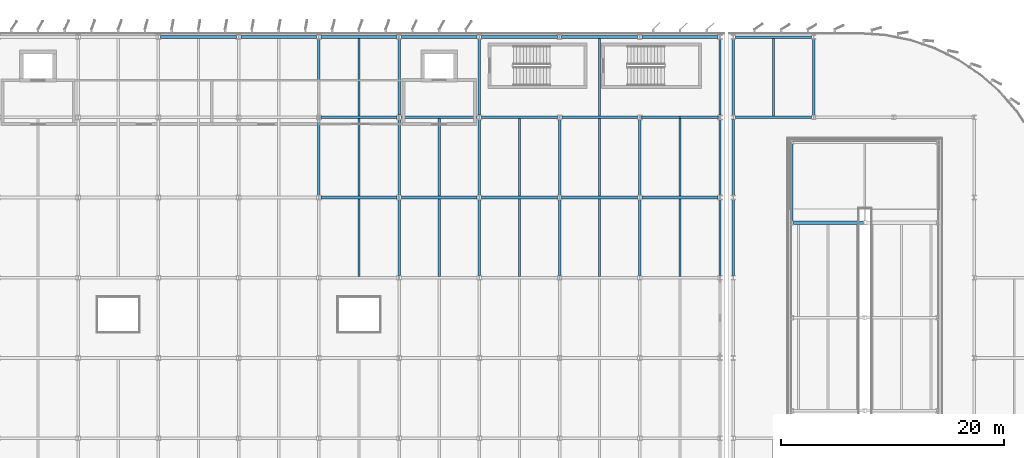
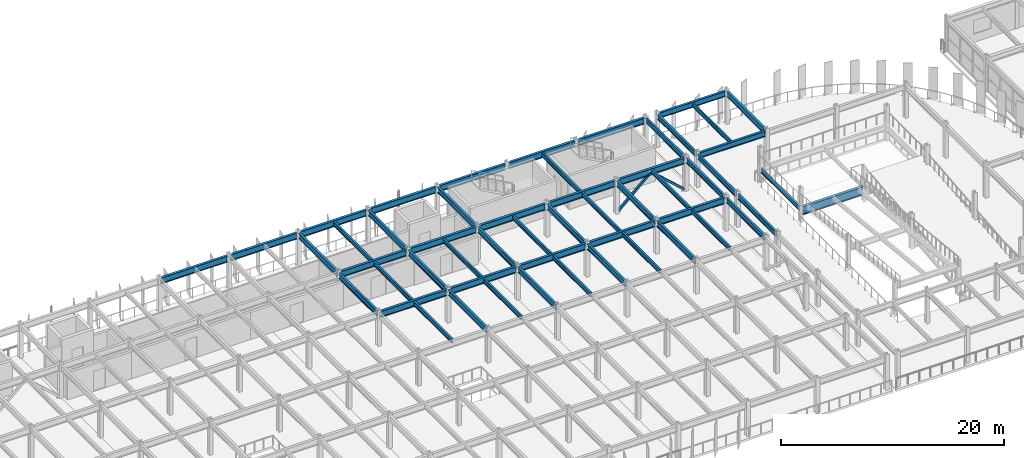
# One storey, part 30 of 93: 53 beams, 2 members.
"""IFC4 building model written with IfcOpenShell, lengths in metres."""

from ifc_helpers import new_model, si_unit, direction, frame, origin, origin_2d, place, context, subcontext, project, spatial, hollow_rectangle, i_section, extrude, material, material_profile, profile_set, type_object, element, save


model = new_model("IFC4")

# Units and contexts
model_context = context("Model", 3, precision=1e-05, world=origin(), true_north=direction((0.0, 1.0)))
body_context = subcontext(model_context, "Body", "Model", "MODEL_VIEW")
ifc_project = project(units=[si_unit("LENGTHUNIT", "METRE"), si_unit("AREAUNIT", "SQUARE_METRE"), si_unit("VOLUMEUNIT", "CUBIC_METRE"), si_unit("PLANEANGLEUNIT", "RADIAN"), si_unit("MASSUNIT", "GRAM", prefix="KILO")], contexts=[model_context])

# Site, building, storey
site_placement = place(None, origin())
site = spatial("IfcSite", under=ifc_project, at=site_placement, CompositionType="ELEMENT")
building_placement = place(site_placement, origin())
building = spatial("IfcBuilding", under=site, at=building_placement, Name="Vaelcorin Mobility Hub", CompositionType="ELEMENT")
storey_placement = place(building_placement, frame((0.0, 0.0, 5.39990234375)))
storey = spatial("IfcBuildingStorey", under=building, at=storey_placement, Name="L01", CompositionType="ELEMENT", Elevation=5.39990234375)

# Beams
ifc_material_1 = material(Name="Steel ASTM A992 Grade 50", Category="steel")
ifc_material_profile_1 = material_profile(ifc_material_1, i_section(OverallWidth=0.152099609375, OverallDepth=0.455078125, WebThickness=0.008056640625, FlangeThickness=0.01318359375, FilletRadius=0.012939453125, at=origin_2d()), Name="W18X40")
ifc_profile_set_1 = profile_set([ifc_material_profile_1], Name="Steel ASTM A992 Grade 50")
beam_type_1 = type_object("IfcBeamType", Name="BM-W18X40", PredefinedType="JOIST", material=ifc_profile_set_1)
beam_1_placement = place(storey_placement, frame((127.199951171875, 112.912109375, 3.423095703125), z_axis=(0.0, 1.0, 0.0), x_axis=(-1.0, 0.0, 0.0)))
element("IfcBeam", 1, at=beam_1_placement, inside=storey, type_object=beam_type_1, Name="L01 Beam V2E-L01-J-01-06-1", PredefinedType="JOIST", context=body_context, shape_type="SweptSolid", body=[
    extrude(i_section(OverallWidth=0.152099609375, OverallDepth=0.455078125, WebThickness=0.008056640625, FlangeThickness=0.01318359375, FilletRadius=0.012939453125, at=origin_2d()), origin(), (0.0, 0.0, 1.0), 6.975830078125),
])
ifc_material_profile_2 = material_profile(ifc_material_1, i_section(OverallWidth=0.19189453125, OverallDepth=0.4619140625, WebThickness=0.010498046875, FlangeThickness=0.017578125, FilletRadius=0.012939453125, at=origin_2d()), Name="W18X60")
ifc_profile_set_2 = profile_set([ifc_material_profile_2], Name="Steel ASTM A992 Grade 50")
beam_type_2 = type_object("IfcBeamType", Name="BM-W18X60", PredefinedType="JOIST", material=ifc_profile_set_2)
beam_2_placement = place(storey_placement, frame((90.0, 98.52490234375, 3.439208984375), z_axis=(0.0, 1.0, 0.0), x_axis=(-1.0, 0.0, 0.0)))
element("IfcBeam", 2, at=beam_2_placement, inside=storey, type_object=beam_type_2, Name="L01 Beam V4-L01-J-08-04-1", PredefinedType="JOIST", context=body_context, shape_type="SweptSolid", body=[
    extrude(i_section(OverallWidth=0.19189453125, OverallDepth=0.4619140625, WebThickness=0.010498046875, FlangeThickness=0.017578125, FilletRadius=0.012939453125, at=origin_2d()), origin(), (0.0, 0.0, 1.0), 6.9501953125),
])
for number, where, z_axis, x_axis, name in (
    (3, (90.0, 105.72509765625, 3.439208984375), (0.0, 1.0, 0.0), (-1.0, 0.0, 0.0), "L01 Beam V4-L01-J-08-05-1"),
    (4, (90.0, 112.925048828125, 3.439208984375), (0.0, 1.0, 0.0), (-1.0, 0.0, 0.0), "L01 Beam V4-L01-J-08-06-1"),
):
    element("IfcBeam", number, at=place(storey_placement, frame(where, z_axis=z_axis, x_axis=x_axis)), inside=storey, type_object=beam_type_2, Name=name, PredefinedType="JOIST", context=body_context, shape_type="SweptSolid", body=[
        extrude(i_section(OverallWidth=0.19189453125, OverallDepth=0.4619140625, WebThickness=0.010498046875, FlangeThickness=0.017578125, FilletRadius=0.012939453125, at=origin_2d()), origin(), (0.0, 0.0, 1.0), 6.949951171875),
    ])
beam_3_placement = place(storey_placement, frame((97.199951171875, 98.52490234375, 3.439208984375), z_axis=(0.0, 1.0, 0.0), x_axis=(-1.0, 0.0, 0.0)))
element("IfcBeam", 5, at=beam_3_placement, inside=storey, type_object=beam_type_2, Name="L01 Beam V4-L01-J-09-04-1", PredefinedType="JOIST", context=body_context, shape_type="SweptSolid", body=[
    extrude(i_section(OverallWidth=0.19189453125, OverallDepth=0.4619140625, WebThickness=0.010498046875, FlangeThickness=0.017578125, FilletRadius=0.012939453125, at=origin_2d()), origin(), (0.0, 0.0, 1.0), 6.9501953125),
])
beam_4_placement = place(storey_placement, frame((97.199951171875, 105.72509765625, 3.439208984375), z_axis=(0.0, 1.0, 0.0), x_axis=(-1.0, 0.0, 0.0)))
element("IfcBeam", 6, at=beam_4_placement, inside=storey, type_object=beam_type_2, Name="L01 Beam V4-L01-J-09-05-1", PredefinedType="JOIST", context=body_context, shape_type="SweptSolid", body=[
    extrude(i_section(OverallWidth=0.19189453125, OverallDepth=0.4619140625, WebThickness=0.010498046875, FlangeThickness=0.017578125, FilletRadius=0.012939453125, at=origin_2d()), origin(), (0.0, 0.0, 1.0), 6.949951171875),
])
beam_5_placement = place(storey_placement, frame((104.39990234375, 98.52490234375, 3.439208984375), z_axis=(0.0, 1.0, 0.0), x_axis=(-1.0, 0.0, 0.0)))
element("IfcBeam", 7, at=beam_5_placement, inside=storey, type_object=beam_type_2, Name="L01 Beam V4-L01-J-10-04-1", PredefinedType="JOIST", context=body_context, shape_type="SweptSolid", body=[
    extrude(i_section(OverallWidth=0.19189453125, OverallDepth=0.4619140625, WebThickness=0.010498046875, FlangeThickness=0.017578125, FilletRadius=0.012939453125, at=origin_2d()), origin(), (0.0, 0.0, 1.0), 6.9501953125),
])
beam_6_placement = place(storey_placement, frame((104.39990234375, 105.72509765625, 3.439208984375), z_axis=(0.0, 1.0, 0.0), x_axis=(-1.0, 0.0, 0.0)))
element("IfcBeam", 8, at=beam_6_placement, inside=storey, type_object=beam_type_2, Name="L01 Beam V4-L01-J-10-05-1", PredefinedType="JOIST", context=body_context, shape_type="SweptSolid", body=[
    extrude(i_section(OverallWidth=0.19189453125, OverallDepth=0.4619140625, WebThickness=0.010498046875, FlangeThickness=0.017578125, FilletRadius=0.012939453125, at=origin_2d()), origin(), (0.0, 0.0, 1.0), 6.949951171875),
])
beam_7_placement = place(storey_placement, frame((111.60009765625, 98.52490234375, 3.439208984375), z_axis=(0.0, 1.0, 0.0), x_axis=(-1.0, 0.0, 0.0)))
element("IfcBeam", 9, at=beam_7_placement, inside=storey, type_object=beam_type_2, Name="L01 Beam V4-L01-J-11-04-1", PredefinedType="JOIST", context=body_context, shape_type="SweptSolid", body=[
    extrude(i_section(OverallWidth=0.19189453125, OverallDepth=0.4619140625, WebThickness=0.010498046875, FlangeThickness=0.017578125, FilletRadius=0.012939453125, at=origin_2d()), origin(), (0.0, 0.0, 1.0), 6.9501953125),
])
for number, where, z_axis, x_axis, name in (
    (10, (111.60009765625, 105.72509765625, 3.439208984375), (0.0, 1.0, 0.0), (-1.0, 0.0, 0.0), "L01 Beam V4-L01-J-11-05-1"),
    (11, (111.60009765625, 112.925048828125, 3.439208984375), (0.0, 1.0, 0.0), (-1.0, 0.0, 0.0), "L01 Beam V4-L01-J-11-06-1"),
):
    element("IfcBeam", number, at=place(storey_placement, frame(where, z_axis=z_axis, x_axis=x_axis)), inside=storey, type_object=beam_type_2, Name=name, PredefinedType="JOIST", context=body_context, shape_type="SweptSolid", body=[
        extrude(i_section(OverallWidth=0.19189453125, OverallDepth=0.4619140625, WebThickness=0.010498046875, FlangeThickness=0.017578125, FilletRadius=0.012939453125, at=origin_2d()), origin(), (0.0, 0.0, 1.0), 6.949951171875),
    ])
beam_8_placement = place(storey_placement, frame((118.800048828125, 98.52490234375, 3.439208984375), z_axis=(0.0, 1.0, 0.0), x_axis=(-1.0, 0.0, 0.0)))
element("IfcBeam", 12, at=beam_8_placement, inside=storey, type_object=beam_type_2, Name="L01 Beam V4-L01-J-12-04-1", PredefinedType="JOIST", context=body_context, shape_type="SweptSolid", body=[
    extrude(i_section(OverallWidth=0.19189453125, OverallDepth=0.4619140625, WebThickness=0.010498046875, FlangeThickness=0.017578125, FilletRadius=0.012939453125, at=origin_2d()), origin(), (0.0, 0.0, 1.0), 6.9501953125),
])
beam_9_placement = place(storey_placement, frame((118.800048828125, 105.72509765625, 3.439208984375), z_axis=(0.0, 1.0, 0.0), x_axis=(-1.0, 0.0, 0.0)))
element("IfcBeam", 13, at=beam_9_placement, inside=storey, type_object=beam_type_2, Name="L01 Beam V4-L01-J-12-05-1", PredefinedType="JOIST", context=body_context, shape_type="SweptSolid", body=[
    extrude(i_section(OverallWidth=0.19189453125, OverallDepth=0.4619140625, WebThickness=0.010498046875, FlangeThickness=0.017578125, FilletRadius=0.012939453125, at=origin_2d()), origin(), (0.0, 0.0, 1.0), 6.949951171875),
])
ifc_material_profile_3 = material_profile(ifc_material_1, i_section(OverallWidth=0.166015625, OverallDepth=0.528076171875, WebThickness=0.009765625, FlangeThickness=0.013671875, FilletRadius=0.013916015625, at=origin_2d()), Name="W21X50")
ifc_profile_set_3 = profile_set([ifc_material_profile_3], Name="Steel ASTM A992 Grade 50")
beam_type_3 = type_object("IfcBeamType", Name="BM-W21X50", PredefinedType="JOIST", material=ifc_profile_set_3)
beam_10_placement = place(storey_placement, frame((128.85009765625, 103.52490234375, 1.397216796875), z_axis=(0.0, 1.0, 0.0), x_axis=(-1.0, 0.0, 0.0)))
element("IfcBeam", 14, at=beam_10_placement, inside=storey, type_object=beam_type_3, Name="Vehicle Ramp VR-2 L01 Landing West Edge Beam", PredefinedType="JOIST", context=body_context, shape_type="SweptSolid", body=[
    extrude(i_section(OverallWidth=0.166015625, OverallDepth=0.528076171875, WebThickness=0.009765625, FlangeThickness=0.013671875, FilletRadius=0.013916015625, at=origin_2d()), origin(), (0.0, 0.0, 1.0), 6.85009765625),
])
ifc_material_profile_4 = material_profile(ifc_material_1, i_section(OverallWidth=0.2099609375, OverallDepth=0.535888671875, WebThickness=0.010986328125, FlangeThickness=0.017333984375, FilletRadius=0.013916015625, at=origin_2d()), Name="W21X68")
ifc_profile_set_4 = profile_set([ifc_material_profile_4], Name="Steel ASTM A992 Grade 50")
beam_type_4 = type_object("IfcBeamType", Name="BM-W21X68", PredefinedType="SPANDREL", material=ifc_profile_set_4)
beam_11_placement = place(storey_placement, frame((122.39990234375, 98.589111328125, 3.402099609375), z_axis=(0.0, 1.0, 0.0), x_axis=(-1.0, 0.0, 0.0)))
element("IfcBeam", 15, at=beam_11_placement, inside=storey, type_object=beam_type_4, Name="L01 Beam V4-L01-GY-13-04", PredefinedType="SPANDREL", context=body_context, shape_type="SweptSolid", body=[
    extrude(i_section(OverallWidth=0.2099609375, OverallDepth=0.535888671875, WebThickness=0.010986328125, FlangeThickness=0.017333984375, FilletRadius=0.013916015625, at=origin_2d()), origin(), (0.0, 0.0, 1.0), 6.82177734375),
])
for number, where, z_axis, x_axis, name in (
    (16, (122.39990234375, 105.7880859375, 3.402099609375), (0.0, 1.0, 0.0), (-1.0, 0.0, 0.0), "L01 Beam V4-L01-GY-13-05"),
    (17, (122.39990234375, 112.9951171875, 3.402099609375), (0.0, 1.0, 0.0), (-1.0, 0.0, 0.0), "L01 Beam V4-L01-GY-13-06"),
):
    element("IfcBeam", number, at=place(storey_placement, frame(where, z_axis=z_axis, x_axis=x_axis)), inside=storey, type_object=beam_type_4, Name=name, PredefinedType="SPANDREL", context=body_context, shape_type="SweptSolid", body=[
        extrude(i_section(OverallWidth=0.2099609375, OverallDepth=0.535888671875, WebThickness=0.010986328125, FlangeThickness=0.017333984375, FilletRadius=0.013916015625, at=origin_2d()), origin(), (0.0, 0.0, 1.0), 6.81689453125),
    ])
for number, where, z_axis, x_axis, name in (
    (18, (123.60009765625, 98.583984375, 3.382080078125), (0.0, 1.0, 0.0), (-1.0, 0.0, 0.0), "L01 Beam V2E-L01-GY-01-04"),
    (19, (123.60009765625, 105.783935546875, 3.382080078125), (0.0, 1.0, 0.0), (-1.0, 0.0, 0.0), "L01 Beam V2E-L01-GY-01-05"),
    (20, (123.60009765625, 112.98388671875, 3.382080078125), (0.0, 1.0, 0.0), (-1.0, 0.0, 0.0), "L01 Beam V2E-L01-GY-01-06"),
):
    element("IfcBeam", number, at=place(storey_placement, frame(where, z_axis=z_axis, x_axis=x_axis)), inside=storey, type_object=beam_type_4, Name=name, PredefinedType="SPANDREL", context=body_context, shape_type="SweptSolid", body=[
        extrude(i_section(OverallWidth=0.2099609375, OverallDepth=0.535888671875, WebThickness=0.010986328125, FlangeThickness=0.017333984375, FilletRadius=0.013916015625, at=origin_2d()), origin(), (0.0, 0.0, 1.0), 6.83203125),
    ])
ifc_material_profile_5 = material_profile(ifc_material_1, i_section(OverallWidth=0.22802734375, OverallDepth=0.60205078125, WebThickness=0.010498046875, FlangeThickness=0.014892578125, FilletRadius=0.014892578125, at=origin_2d()), Name="W24X68")
ifc_profile_set_5 = profile_set([ifc_material_profile_5], Name="Steel ASTM A992 Grade 50")
beam_type_5 = type_object("IfcBeamType", Name="BM-W24X68", PredefinedType="SPANDREL", material=ifc_profile_set_5)
beam_12_placement = place(storey_placement, frame((123.783935546875, 120.0, 3.34912109375), z_axis=(1.0, 0.0, 0.0), x_axis=(0.0, 1.0, 0.0)))
element("IfcBeam", 21, at=beam_12_placement, inside=storey, type_object=beam_type_5, Name="L01 Beam V2E-L01-GX-07-01", PredefinedType="SPANDREL", context=body_context, shape_type="SweptSolid", body=[
    extrude(i_section(OverallWidth=0.22802734375, OverallDepth=0.60205078125, WebThickness=0.010498046875, FlangeThickness=0.014892578125, FilletRadius=0.014892578125, at=origin_2d()), origin(), (0.0, 0.0, 1.0), 6.83203125),
])
ifc_material_profile_6 = material_profile(ifc_material_1, i_section(OverallWidth=0.22900390625, OverallDepth=0.612060546875, WebThickness=0.011962890625, FlangeThickness=0.01953125, FilletRadius=0.014892578125, at=origin_2d()), Name="W24X84")
ifc_profile_set_6 = profile_set([ifc_material_profile_6], Name="Steel ASTM A992 Grade 50")
beam_type_6 = type_object("IfcBeamType", Name="BM-W24X84", PredefinedType="BEAM", material=ifc_profile_set_6)
for number, where, z_axis, x_axis, name in (
    (22, (86.39990234375, 105.7880859375, 3.364013671875), (0.0, 1.0, 0.0), (-1.0, 0.0, 0.0), "L01 Beam V4-L01-GY-08-05"),
    (23, (86.39990234375, 112.9951171875, 3.364013671875), (0.0, 1.0, 0.0), (-1.0, 0.0, 0.0), "L01 Beam V4-L01-GY-08-06"),
):
    element("IfcBeam", number, at=place(storey_placement, frame(where, z_axis=z_axis, x_axis=x_axis)), inside=storey, type_object=beam_type_6, Name=name, PredefinedType="BEAM", context=body_context, shape_type="SweptSolid", body=[
        extrude(i_section(OverallWidth=0.22900390625, OverallDepth=0.612060546875, WebThickness=0.011962890625, FlangeThickness=0.01953125, FilletRadius=0.014892578125, at=origin_2d()), origin(), (0.0, 0.0, 1.0), 6.81689453125),
    ])
beam_13_placement = place(storey_placement, frame((93.60009765625, 98.589111328125, 3.364013671875), z_axis=(0.0, 1.0, 0.0), x_axis=(-1.0, 0.0, 0.0)))
element("IfcBeam", 24, at=beam_13_placement, inside=storey, type_object=beam_type_6, Name="L01 Beam V4-L01-GY-09-04", PredefinedType="BEAM", context=body_context, shape_type="SweptSolid", body=[
    extrude(i_section(OverallWidth=0.22900390625, OverallDepth=0.612060546875, WebThickness=0.011962890625, FlangeThickness=0.01953125, FilletRadius=0.014892578125, at=origin_2d()), origin(), (0.0, 0.0, 1.0), 6.82177734375),
])
for number, where, z_axis, x_axis, name in (
    (25, (93.60009765625, 105.7880859375, 3.364013671875), (0.0, 1.0, 0.0), (-1.0, 0.0, 0.0), "L01 Beam V4-L01-GY-09-05"),
    (26, (93.60009765625, 112.9951171875, 3.364013671875), (0.0, 1.0, 0.0), (-1.0, 0.0, 0.0), "L01 Beam V4-L01-GY-09-06"),
):
    element("IfcBeam", number, at=place(storey_placement, frame(where, z_axis=z_axis, x_axis=x_axis)), inside=storey, type_object=beam_type_6, Name=name, PredefinedType="BEAM", context=body_context, shape_type="SweptSolid", body=[
        extrude(i_section(OverallWidth=0.22900390625, OverallDepth=0.612060546875, WebThickness=0.011962890625, FlangeThickness=0.01953125, FilletRadius=0.014892578125, at=origin_2d()), origin(), (0.0, 0.0, 1.0), 6.81689453125),
    ])
beam_14_placement = place(storey_placement, frame((100.800048828125, 98.589111328125, 3.364013671875), z_axis=(0.0, 1.0, 0.0), x_axis=(-1.0, 0.0, 0.0)))
element("IfcBeam", 27, at=beam_14_placement, inside=storey, type_object=beam_type_6, Name="L01 Beam V4-L01-GY-10-04", PredefinedType="BEAM", context=body_context, shape_type="SweptSolid", body=[
    extrude(i_section(OverallWidth=0.22900390625, OverallDepth=0.612060546875, WebThickness=0.011962890625, FlangeThickness=0.01953125, FilletRadius=0.014892578125, at=origin_2d()), origin(), (0.0, 0.0, 1.0), 6.82177734375),
])
for number, where, z_axis, x_axis, name in (
    (28, (100.800048828125, 105.7880859375, 3.364013671875), (0.0, 1.0, 0.0), (-1.0, 0.0, 0.0), "L01 Beam V4-L01-GY-10-05"),
    (29, (100.800048828125, 112.9951171875, 3.364013671875), (0.0, 1.0, 0.0), (-1.0, 0.0, 0.0), "L01 Beam V4-L01-GY-10-06"),
):
    element("IfcBeam", number, at=place(storey_placement, frame(where, z_axis=z_axis, x_axis=x_axis)), inside=storey, type_object=beam_type_6, Name=name, PredefinedType="BEAM", context=body_context, shape_type="SweptSolid", body=[
        extrude(i_section(OverallWidth=0.22900390625, OverallDepth=0.612060546875, WebThickness=0.011962890625, FlangeThickness=0.01953125, FilletRadius=0.014892578125, at=origin_2d()), origin(), (0.0, 0.0, 1.0), 6.81689453125),
    ])
beam_15_placement = place(storey_placement, frame((108.0, 98.589111328125, 3.364013671875), z_axis=(0.0, 1.0, 0.0), x_axis=(-1.0, 0.0, 0.0)))
element("IfcBeam", 30, at=beam_15_placement, inside=storey, type_object=beam_type_6, Name="L01 Beam V4-L01-GY-11-04", PredefinedType="BEAM", context=body_context, shape_type="SweptSolid", body=[
    extrude(i_section(OverallWidth=0.22900390625, OverallDepth=0.612060546875, WebThickness=0.011962890625, FlangeThickness=0.01953125, FilletRadius=0.014892578125, at=origin_2d()), origin(), (0.0, 0.0, 1.0), 6.82177734375),
])
beam_16_placement = place(storey_placement, frame((108.0, 105.7880859375, 3.364013671875), z_axis=(0.0, 1.0, 0.0), x_axis=(-1.0, 0.0, 0.0)))
element("IfcBeam", 31, at=beam_16_placement, inside=storey, type_object=beam_type_6, Name="L01 Beam V4-L01-GY-11-05", PredefinedType="BEAM", context=body_context, shape_type="SweptSolid", body=[
    extrude(i_section(OverallWidth=0.22900390625, OverallDepth=0.612060546875, WebThickness=0.011962890625, FlangeThickness=0.01953125, FilletRadius=0.014892578125, at=origin_2d()), origin(), (0.0, 0.0, 1.0), 6.81689453125),
])
beam_17_placement = place(storey_placement, frame((115.199951171875, 98.589111328125, 3.364013671875), z_axis=(0.0, 1.0, 0.0), x_axis=(-1.0, 0.0, 0.0)))
element("IfcBeam", 32, at=beam_17_placement, inside=storey, type_object=beam_type_6, Name="L01 Beam V4-L01-GY-12-04", PredefinedType="BEAM", context=body_context, shape_type="SweptSolid", body=[
    extrude(i_section(OverallWidth=0.22900390625, OverallDepth=0.612060546875, WebThickness=0.011962890625, FlangeThickness=0.01953125, FilletRadius=0.014892578125, at=origin_2d()), origin(), (0.0, 0.0, 1.0), 6.82177734375),
])
beam_18_placement = place(storey_placement, frame((115.199951171875, 105.7880859375, 3.364013671875), z_axis=(0.0, 1.0, 0.0), x_axis=(-1.0, 0.0, 0.0)))
element("IfcBeam", 33, at=beam_18_placement, inside=storey, type_object=beam_type_6, Name="L01 Beam V4-L01-GY-12-05", PredefinedType="BEAM", context=body_context, shape_type="SweptSolid", body=[
    extrude(i_section(OverallWidth=0.22900390625, OverallDepth=0.612060546875, WebThickness=0.011962890625, FlangeThickness=0.01953125, FilletRadius=0.014892578125, at=origin_2d()), origin(), (0.0, 0.0, 1.0), 6.81689453125),
])
for number, where, z_axis, x_axis, name in (
    (34, (123.783935546875, 112.800048828125, 3.343994140625), (1.0, 0.0, 0.0), (0.0, 1.0, 0.0), "L01 Beam V2E-L01-GX-06-01"),
    (35, (130.800048828125, 112.98388671875, 3.343994140625), (0.0, 1.0, 0.0), (-1.0, 0.0, 0.0), "L01 Beam V2E-L01-GY-02-06"),
):
    element("IfcBeam", number, at=place(storey_placement, frame(where, z_axis=z_axis, x_axis=x_axis)), inside=storey, type_object=beam_type_6, Name=name, PredefinedType="BEAM", context=body_context, shape_type="SweptSolid", body=[
        extrude(i_section(OverallWidth=0.22900390625, OverallDepth=0.612060546875, WebThickness=0.011962890625, FlangeThickness=0.01953125, FilletRadius=0.014892578125, at=origin_2d()), origin(), (0.0, 0.0, 1.0), 6.83203125),
    ])
ifc_material_profile_7 = material_profile(ifc_material_1, i_section(OverallWidth=0.25390625, OverallDepth=0.68310546875, WebThickness=0.012451171875, FlangeThickness=0.018798828125, FilletRadius=0.01611328125, at=origin_2d()), Name="W27X94")
ifc_profile_set_7 = profile_set([ifc_material_profile_7], Name="Steel ASTM A992 Grade 50")
beam_type_7 = type_object("IfcBeamType", Name="BM-W27X94", PredefinedType="BEAM", material=ifc_profile_set_7)
for number, where, z_axis, x_axis, name in (
    (36, (86.595947265625, 105.60009765625, 3.328125), (1.0, 0.0, 0.0), (0.0, 1.0, 0.0), "L01 Beam V4-L01-GX-05-08"),
    (37, (93.7958984375, 105.60009765625, 3.328125), (1.0, 0.0, 0.0), (0.0, 1.0, 0.0), "L01 Beam V4-L01-GX-05-09"),
):
    element("IfcBeam", number, at=place(storey_placement, frame(where, z_axis=z_axis, x_axis=x_axis)), inside=storey, type_object=beam_type_7, Name=name, PredefinedType="BEAM", context=body_context, shape_type="SweptSolid", body=[
        extrude(i_section(OverallWidth=0.25390625, OverallDepth=0.68310546875, WebThickness=0.012451171875, FlangeThickness=0.018798828125, FilletRadius=0.01611328125, at=origin_2d()), origin(), (0.0, 0.0, 1.0), 6.80810546875),
    ])
for number, where, z_axis, x_axis, name in (
    (38, (100.99609375, 105.60009765625, 3.328125), (1.0, 0.0, 0.0), (0.0, 1.0, 0.0), "L01 Beam V4-L01-GX-05-10"),
    (39, (108.196044921875, 105.60009765625, 3.328125), (1.0, 0.0, 0.0), (0.0, 1.0, 0.0), "L01 Beam V4-L01-GX-05-11"),
):
    element("IfcBeam", number, at=place(storey_placement, frame(where, z_axis=z_axis, x_axis=x_axis)), inside=storey, type_object=beam_type_7, Name=name, PredefinedType="BEAM", context=body_context, shape_type="SweptSolid", body=[
        extrude(i_section(OverallWidth=0.25390625, OverallDepth=0.68310546875, WebThickness=0.012451171875, FlangeThickness=0.018798828125, FilletRadius=0.01611328125, at=origin_2d()), origin(), (0.0, 0.0, 1.0), 6.807861328125),
    ])
beam_19_placement = place(storey_placement, frame((115.39599609375, 105.60009765625, 3.328125), z_axis=(1.0, 0.0, 0.0), x_axis=(0.0, 1.0, 0.0)))
element("IfcBeam", 40, at=beam_19_placement, inside=storey, type_object=beam_type_7, Name="L01 Beam V4-L01-GX-05-12", PredefinedType="BEAM", context=body_context, shape_type="SweptSolid", body=[
    extrude(i_section(OverallWidth=0.25390625, OverallDepth=0.68310546875, WebThickness=0.012451171875, FlangeThickness=0.018798828125, FilletRadius=0.01611328125, at=origin_2d()), origin(), (0.0, 0.0, 1.0), 6.80810546875),
])
beam_20_placement = place(storey_placement, frame((86.597900390625, 112.800048828125, 3.328125), z_axis=(1.0, 0.0, 0.0), x_axis=(0.0, 1.0, 0.0)))
element("IfcBeam", 41, at=beam_20_placement, inside=storey, type_object=beam_type_7, Name="L01 Beam V4-L01-GX-06-08", PredefinedType="BEAM", context=body_context, shape_type="SweptSolid", body=[
    extrude(i_section(OverallWidth=0.25390625, OverallDepth=0.68310546875, WebThickness=0.012451171875, FlangeThickness=0.018798828125, FilletRadius=0.01611328125, at=origin_2d()), origin(), (0.0, 0.0, 1.0), 6.80419921875),
])
for number, where, z_axis, x_axis, name in (
    (42, (93.798095703125, 112.800048828125, 3.328125), (1.0, 0.0, 0.0), (0.0, 1.0, 0.0), "L01 Beam V4-L01-GX-06-09"),
    (43, (100.998046875, 112.800048828125, 3.328125), (1.0, 0.0, 0.0), (0.0, 1.0, 0.0), "L01 Beam V4-L01-GX-06-10"),
    (44, (108.197998046875, 112.800048828125, 3.328125), (1.0, 0.0, 0.0), (0.0, 1.0, 0.0), "L01 Beam V4-L01-GX-06-11"),
    (45, (115.39794921875, 112.800048828125, 3.328125), (1.0, 0.0, 0.0), (0.0, 1.0, 0.0), "L01 Beam V4-L01-GX-06-12"),
):
    element("IfcBeam", number, at=place(storey_placement, frame(where, z_axis=z_axis, x_axis=x_axis)), inside=storey, type_object=beam_type_7, Name=name, PredefinedType="BEAM", context=body_context, shape_type="SweptSolid", body=[
        extrude(i_section(OverallWidth=0.25390625, OverallDepth=0.68310546875, WebThickness=0.012451171875, FlangeThickness=0.018798828125, FilletRadius=0.01611328125, at=origin_2d()), origin(), (0.0, 0.0, 1.0), 6.803955078125),
    ])
beam_21_placement = place(storey_placement, frame((72.196044921875, 120.0, 3.328125), z_axis=(1.0, 0.0, 0.0), x_axis=(0.0, 1.0, 0.0)))
element("IfcBeam", 46, at=beam_21_placement, inside=storey, type_object=beam_type_7, Name="L01 Beam V4-L01-GX-07-06", PredefinedType="BEAM", context=body_context, shape_type="SweptSolid", body=[
    extrude(i_section(OverallWidth=0.25390625, OverallDepth=0.68310546875, WebThickness=0.012451171875, FlangeThickness=0.018798828125, FilletRadius=0.01611328125, at=origin_2d()), origin(), (0.0, 0.0, 1.0), 6.807861328125),
])
for number, where, z_axis, x_axis, name in (
    (47, (79.39599609375, 120.0, 3.328125), (1.0, 0.0, 0.0), (0.0, 1.0, 0.0), "L01 Beam V4-L01-GX-07-07"),
    (48, (86.595947265625, 120.0, 3.328125), (1.0, 0.0, 0.0), (0.0, 1.0, 0.0), "L01 Beam V4-L01-GX-07-08"),
    (49, (93.7958984375, 120.0, 3.328125), (1.0, 0.0, 0.0), (0.0, 1.0, 0.0), "L01 Beam V4-L01-GX-07-09"),
):
    element("IfcBeam", number, at=place(storey_placement, frame(where, z_axis=z_axis, x_axis=x_axis)), inside=storey, type_object=beam_type_7, Name=name, PredefinedType="BEAM", context=body_context, shape_type="SweptSolid", body=[
        extrude(i_section(OverallWidth=0.25390625, OverallDepth=0.68310546875, WebThickness=0.012451171875, FlangeThickness=0.018798828125, FilletRadius=0.01611328125, at=origin_2d()), origin(), (0.0, 0.0, 1.0), 6.80810546875),
    ])
for number, where, z_axis, x_axis, name in (
    (50, (100.99609375, 120.0, 3.328125), (1.0, 0.0, 0.0), (0.0, 1.0, 0.0), "L01 Beam V4-L01-GX-07-10"),
    (51, (108.196044921875, 120.0, 3.328125), (1.0, 0.0, 0.0), (0.0, 1.0, 0.0), "L01 Beam V4-L01-GX-07-11"),
):
    element("IfcBeam", number, at=place(storey_placement, frame(where, z_axis=z_axis, x_axis=x_axis)), inside=storey, type_object=beam_type_7, Name=name, PredefinedType="BEAM", context=body_context, shape_type="SweptSolid", body=[
        extrude(i_section(OverallWidth=0.25390625, OverallDepth=0.68310546875, WebThickness=0.012451171875, FlangeThickness=0.018798828125, FilletRadius=0.01611328125, at=origin_2d()), origin(), (0.0, 0.0, 1.0), 6.807861328125),
    ])
beam_22_placement = place(storey_placement, frame((115.39599609375, 120.0, 3.328125), z_axis=(1.0, 0.0, 0.0), x_axis=(0.0, 1.0, 0.0)))
element("IfcBeam", 52, at=beam_22_placement, inside=storey, type_object=beam_type_7, Name="L01 Beam V4-L01-GX-07-12", PredefinedType="BEAM", context=body_context, shape_type="SweptSolid", body=[
    extrude(i_section(OverallWidth=0.25390625, OverallDepth=0.68310546875, WebThickness=0.012451171875, FlangeThickness=0.018798828125, FilletRadius=0.01611328125, at=origin_2d()), origin(), (0.0, 0.0, 1.0), 6.80810546875),
])
ifc_material_profile_8 = material_profile(ifc_material_1, i_section(OverallWidth=0.304931640625, OverallDepth=0.9140625, WebThickness=0.0166015625, FlangeThickness=0.02587890625, FilletRadius=0.02001953125, at=origin_2d()), Name="W36X160")
ifc_profile_set_8 = profile_set([ifc_material_profile_8], Name="Steel ASTM A992 Grade 50")
beam_type_8 = type_object("IfcBeamType", Name="BM-W36X160", PredefinedType="BEAM", material=ifc_profile_set_8)
beam_23_placement = place(storey_placement, frame((128.97998046875, 103.35009765625, 1.2041015625), z_axis=(1.0, 0.0, 0.0), x_axis=(0.0, 1.0, 0.0)))
element("IfcBeam", 53, at=beam_23_placement, inside=storey, type_object=beam_type_8, Name="Vehicle Ramp VR-2 L01 Landing Girder NW", PredefinedType="BEAM", context=body_context, shape_type="SweptSolid", body=[
    extrude(i_section(OverallWidth=0.304931640625, OverallDepth=0.9140625, WebThickness=0.0166015625, FlangeThickness=0.02587890625, FilletRadius=0.02001953125, at=origin_2d()), origin(), (0.0, 0.0, 1.0), 6.2900390625),
])

# Members
ifc_material_2 = material(Name="Steel ASTM A500 Grade C", Category="steel")
ifc_material_profile_9 = material_profile(ifc_material_2, hollow_rectangle(XDim=0.203125, YDim=0.203125, WallThickness=0.01171875, at=origin_2d()), Name="HSS8X8X0.500")
ifc_profile_set_9 = profile_set([ifc_material_profile_9], Name="Steel ASTM A500 Grade C")
member_type = type_object("IfcMemberType", Name="BR-SCBF-8X8", PredefinedType="BRACE", material=ifc_profile_set_9)
member_1_placement = place(storey_placement, frame((115.389892578125, 112.800048828125, 0.18017578125), z_axis=(0.743220060975, 0.0, 0.669047039426), x_axis=(0.0, 1.0, 0.0)))
element("IfcMember", 54, at=member_1_placement, inside=storey, type_object=member_type, Name="SCBF Chevron Brace V4-BX2-L01-A", PredefinedType="BRACE", context=body_context, shape_type="SweptSolid", body=[
    extrude(hollow_rectangle(XDim=0.203125, YDim=0.203125, WallThickness=0.01171875, at=origin_2d()), origin(), (0.0, 0.0, 1.0), 4.58837890625),
])
member_2_placement = place(storey_placement, frame((122.2099609375, 112.800048828125, 0.18017578125), z_axis=(-0.743196242044, 0.0, 0.669073498064), x_axis=(0.0, -1.0, 0.0)))
element("IfcMember", 55, at=member_2_placement, inside=storey, type_object=member_type, Name="SCBF Chevron Brace V4-BX2-L01-B", PredefinedType="BRACE", context=body_context, shape_type="SweptSolid", body=[
    extrude(hollow_rectangle(XDim=0.203125, YDim=0.203125, WallThickness=0.01171875, at=origin_2d()), origin(), (0.0, 0.0, 1.0), 4.588134765625),
])

save(model, "model.ifc")
